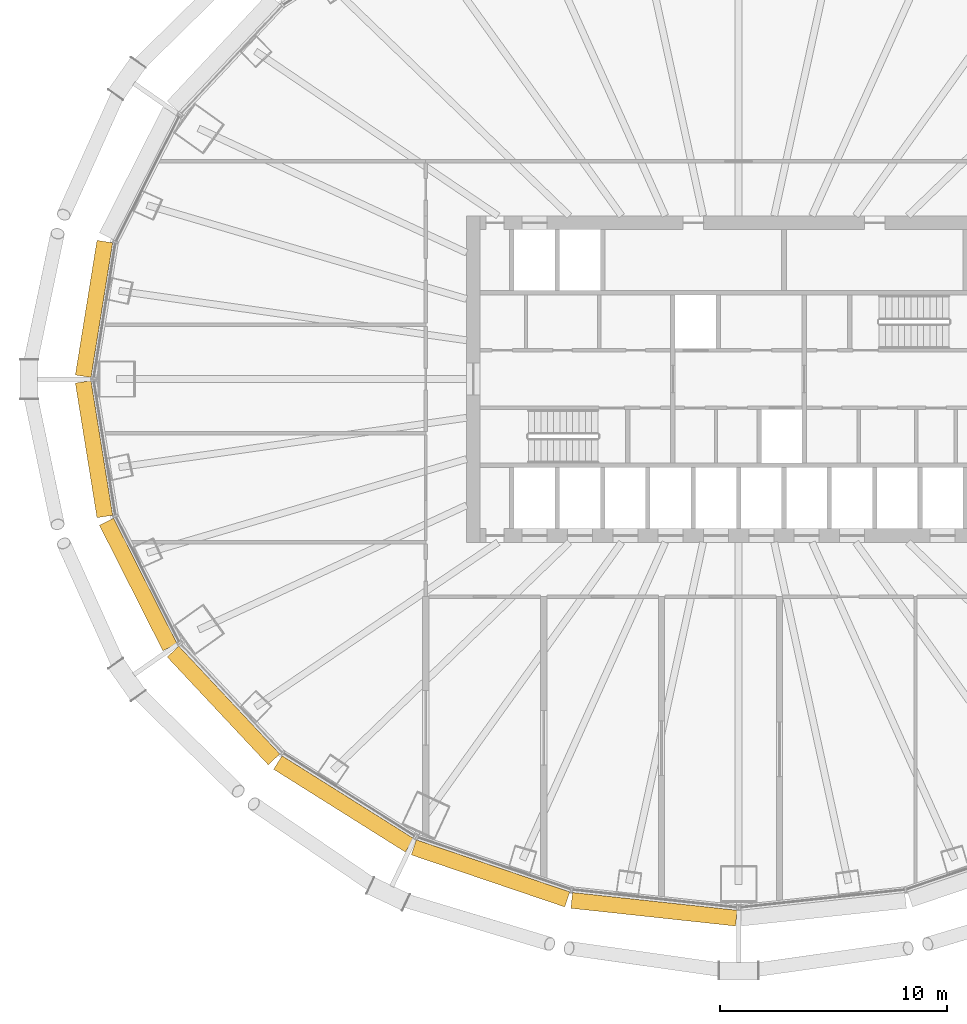
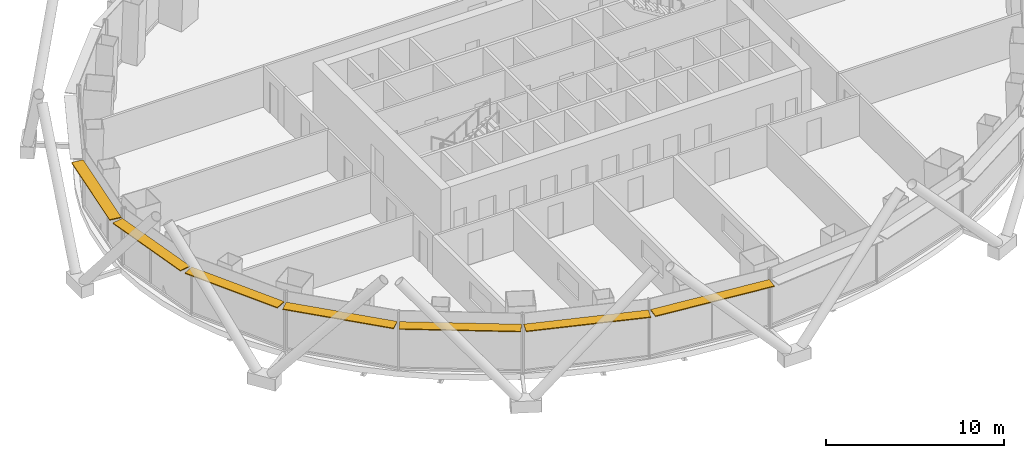
# One storey, part 13 of 16: 7 shading devices.
"""IFC4 building model written with IfcOpenShell, lengths in metres."""

from ifc_helpers import new_model, si_unit, direction, frame, origin, origin_2d, place, context, subcontext, project, spatial, rectangle, extrude, material, layer, layer_set, type_object, element, save


model = new_model("IFC4")

# Units and contexts
model_context = context("Model", 3, precision=1e-05, world=origin(), true_north=direction((0.0, 1.0)))
body_context = subcontext(model_context, "Body", "Model", "MODEL_VIEW")
ifc_project = project(units=[si_unit("LENGTHUNIT", "METRE"), si_unit("AREAUNIT", "SQUARE_METRE"), si_unit("VOLUMEUNIT", "CUBIC_METRE"), si_unit("PLANEANGLEUNIT", "RADIAN"), si_unit("MASSUNIT", "GRAM", prefix="KILO")], contexts=[model_context])

# Site, building, storey
site_placement = place(None, origin())
site = spatial("IfcSite", under=ifc_project, at=site_placement, CompositionType="ELEMENT")
building_placement = place(site_placement, origin())
building = spatial("IfcBuilding", under=site, at=building_placement, Name="Siaravel Broadcast Tower", CompositionType="ELEMENT")
storey_placement = place(building_placement, frame((0.0, 0.0, 28.699951171875)))
storey = spatial("IfcBuildingStorey", under=building, at=storey_placement, Name="L05", CompositionType="ELEMENT", Elevation=28.699951171875)

# Shading devices
ifc_material = material(Name="Bronze anodised aluminium", Category="aluminium")
ifc_layer = layer(ifc_material, 0.06005859375)
ifc_layer_set = layer_set([ifc_layer], Name="Bronze anodised aluminium")
shading_device_type = type_object("IfcShadingDeviceType", Name="Brise-soleil band", PredefinedType="USERDEFINED", material=ifc_layer_set)
for number, where, z_axis, x_axis, name in (
    (1, (-28.435546875, 3.093505859375, 3.27001953125), (0.0, 0.0, 1.0), (-0.158685394, -0.987329198, 0.0), "L05 brise-soleil band 12"),
    (2, (-28.435546875, -3.093505859375, 3.27001953125), (0.0, 0.0, 1.0), (0.158685394, -0.987329198, 0.0), "L05 brise-soleil band 13"),
):
    element("IfcShadingDevice", number, at=place(storey_placement, frame(where, z_axis=z_axis, x_axis=x_axis)), inside=storey, type_object=shading_device_type, Name=name, ObjectType="SUNSHADE", PredefinedType="USERDEFINED", context=body_context, shape_type="SweptSolid", body=[
        extrude(rectangle(XDim=6.0146484375, YDim=0.699951171875, at=origin_2d()), origin(), (0.0, 0.0, 1.0), 0.06005859375),
    ])
shading_device_1_placement = place(storey_placement, frame((-26.4833984375, -9.06298828125, 3.27001953125), z_axis=(0.0, 0.0, 1.0), x_axis=(0.451262289, -0.892391364, 0.0)))
element("IfcShadingDevice", 3, at=shading_device_1_placement, inside=storey, type_object=shading_device_type, Name="L05 brise-soleil band 14", ObjectType="SUNSHADE", PredefinedType="USERDEFINED", context=body_context, shape_type="SweptSolid", body=[
    extrude(rectangle(XDim=6.20263671875, YDim=0.699951171875, at=origin_2d()), origin(), (0.0, 0.0, 1.0), 0.06005859375),
])
shading_device_2_placement = place(storey_placement, frame((-22.722900390625, -14.399169921875, 3.27001953125), z_axis=(0.0, 0.0, 1.0), x_axis=(0.683655992, -0.729804415, 0.0)))
element("IfcShadingDevice", 4, at=shading_device_2_placement, inside=storey, type_object=shading_device_type, Name="L05 brise-soleil band 15", ObjectType="SUNSHADE", PredefinedType="USERDEFINED", context=body_context, shape_type="SweptSolid", body=[
    extrude(rectangle(XDim=6.51611328125, YDim=0.699951171875, at=origin_2d()), origin(), (0.0, 0.0, 1.0), 0.06005859375),
])
shading_device_3_placement = place(storey_placement, frame((-17.42138671875, -18.742431640625, 3.27001953125), z_axis=(0.0, 0.0, 1.0), x_axis=(0.846651365, -0.532147974, 0.0)))
element("IfcShadingDevice", 5, at=shading_device_3_placement, inside=storey, type_object=shading_device_type, Name="L05 brise-soleil band 16", ObjectType="SUNSHADE", PredefinedType="USERDEFINED", context=body_context, shape_type="SweptSolid", body=[
    extrude(rectangle(XDim=6.860107421875, YDim=0.699951171875, at=origin_2d()), origin(), (0.0, 0.0, 1.0), 0.06005859375),
])
shading_device_4_placement = place(storey_placement, frame((-10.944580078125, -21.805908203125, 3.27001953125), z_axis=(0.0, 0.0, 1.0), x_axis=(0.946977245, -0.321300635, 0.0)))
element("IfcShadingDevice", 6, at=shading_device_4_placement, inside=storey, type_object=shading_device_type, Name="L05 brise-soleil band 17", ObjectType="SUNSHADE", PredefinedType="USERDEFINED", context=body_context, shape_type="SweptSolid", body=[
    extrude(rectangle(XDim=7.145263671875, YDim=0.699951171875, at=origin_2d()), origin(), (0.0, 0.0, 1.0), 0.06005859375),
])
shading_device_5_placement = place(storey_placement, frame((-3.731689453125, -23.388916015625, 3.27001953125), z_axis=(0.0, 0.0, 1.0), x_axis=(0.994235667, -0.107216783, 0.0)))
element("IfcShadingDevice", 7, at=shading_device_5_placement, inside=storey, type_object=shading_device_type, Name="L05 brise-soleil band 18", ObjectType="SUNSHADE", PredefinedType="USERDEFINED", context=body_context, shape_type="SweptSolid", body=[
    extrude(rectangle(XDim=7.3046875, YDim=0.699951171875, at=origin_2d()), origin(), (0.0, 0.0, 1.0), 0.06005859375),
])

save(model, "model.ifc")
